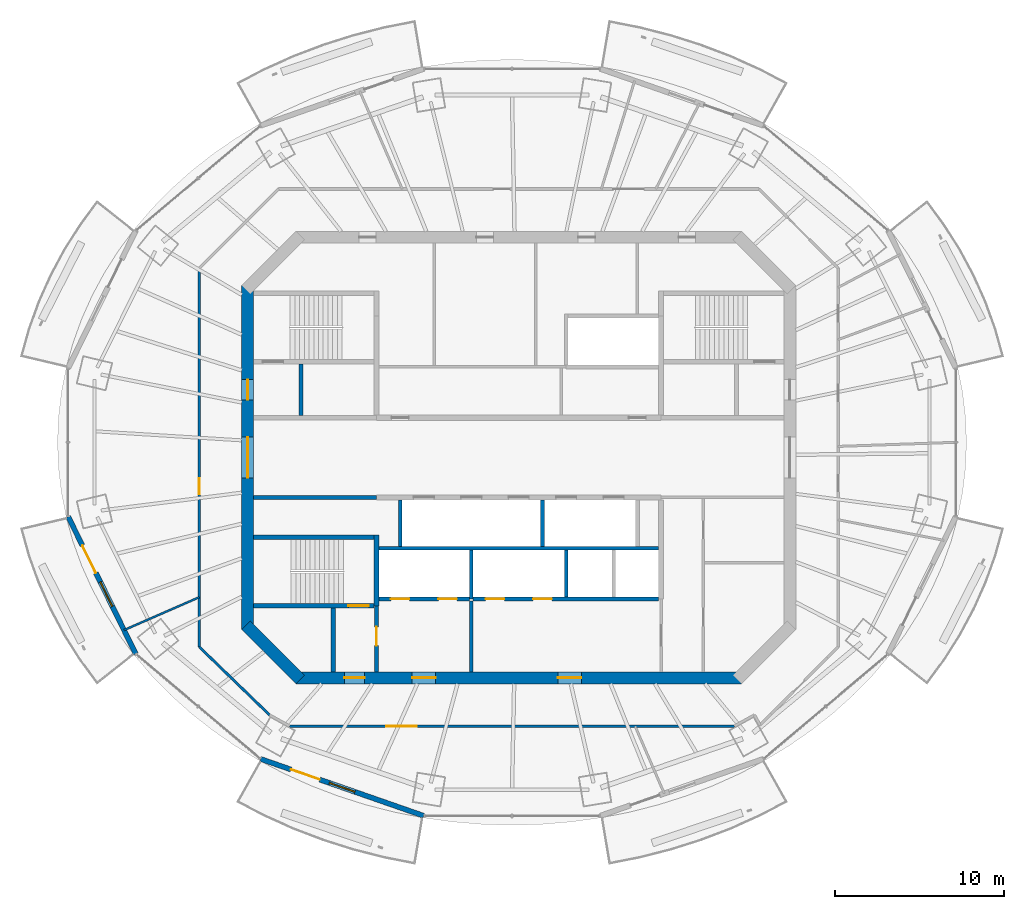
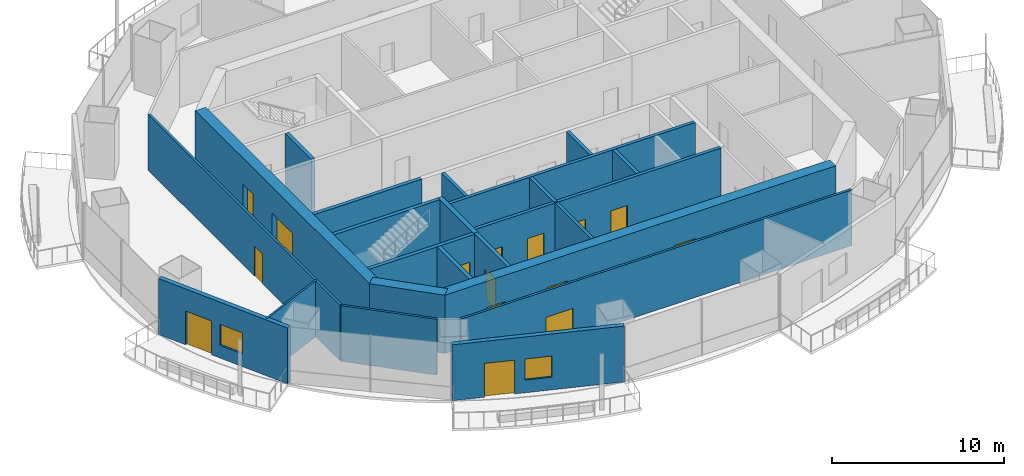
# One storey, part 8 of 16: 24 walls, 15 doors, 2 windows, 17 openings.
"""IFC4 building model written with IfcOpenShell, lengths in metres."""

from ifc_helpers import new_model, si_unit, direction, frame, frame_2d, origin, place, context, subcontext, project, spatial, rectangle, extrude, material, layer, layer_set, type_object, element, fill, save


model = new_model("IFC4")

# Units and contexts
model_context = context("Model", 3, precision=1e-05, world=origin(), true_north=direction((0.0, 1.0)))
body_context = subcontext(model_context, "Body", "Model", "MODEL_VIEW")
ifc_project = project(units=[si_unit("LENGTHUNIT", "METRE"), si_unit("AREAUNIT", "SQUARE_METRE"), si_unit("VOLUMEUNIT", "CUBIC_METRE"), si_unit("PLANEANGLEUNIT", "RADIAN"), si_unit("MASSUNIT", "GRAM", prefix="KILO")], contexts=[model_context])

# Site, building, storey
site_placement = place(None, origin())
site = spatial("IfcSite", under=ifc_project, at=site_placement, CompositionType="ELEMENT")
building_placement = place(site_placement, origin())
building = spatial("IfcBuilding", under=site, at=building_placement, Name="Marenthal Gate Tower", CompositionType="ELEMENT")
storey_placement = place(building_placement, frame((0.0, 0.0, 355.050048828125)))
storey = spatial("IfcBuildingStorey", under=building, at=storey_placement, Name="L80", CompositionType="ELEMENT", Elevation=355.050048828125)

# Wall, openings, doors
ifc_material_1 = material(Name="Concrete 60 MPa", Category="concrete")
ifc_layer_1 = layer(ifc_material_1, 0.699951171875)
ifc_layer_set_1 = layer_set([ifc_layer_1], Name="Core shear wall 700")
wall_type_1 = type_object("IfcWallType", Name="Core shear wall 700", PredefinedType="SHEAR", material=ifc_layer_set_1)
wall_1_placement = place(storey_placement, frame((-16.0, 10.14501953125, -0.179931640625), z_axis=(0.0, 0.0, 1.0), x_axis=(0.0, -1.0, 0.0)))
wall_1 = element("IfcWall", 1, at=wall_1_placement, inside=storey, type_object=wall_type_1, Name="Core wall 06", PredefinedType="SHEAR", context=body_context, shape_type="SweptSolid", body=[
    extrude(rectangle(XDim=20.2900390625, YDim=0.699951171875, at=frame_2d((10.14501953125, 0.0))), origin(), (0.0, 0.0, 1.0), 4.14990234375),
])
opening_1_placement = place(wall_1_placement, frame((8.945068359375, 0.0, 0.179931640625)))
opening_1 = element("IfcOpeningElement", 2, at=opening_1_placement, cuts=wall_1, Name="Opening D003.01", PredefinedType="OPENING", context=body_context, shape_type="SweptSolid", body=[
    extrude(rectangle(XDim=2.39990234375, YDim=2.10009765625, at=frame_2d((1.199951171875, 1.050048828125))), frame((0.0, 0.35986328125, 0.0), z_axis=(0.0, -1.0, 0.0), x_axis=(1.0, 0.0, 0.0)), (0.0, 0.0, 1.0), 0.719970703125),
])
opening_2_placement = place(wall_1_placement, frame((5.544921875, 0.0, 0.179931640625)))
opening_2 = element("IfcOpeningElement", 3, at=opening_2_placement, cuts=wall_1, Name="Opening D001.04", PredefinedType="OPENING", context=body_context, shape_type="SweptSolid", body=[
    extrude(rectangle(XDim=1.199951171875, YDim=2.10009765625, at=frame_2d((0.60009765625, 1.050048828125))), frame((0.0, 0.35986328125, 0.0), z_axis=(0.0, -1.0, 0.0), x_axis=(1.0, 0.0, 0.0)), (0.0, 0.0, 1.0), 0.719970703125),
])
ifc_material_2 = material(Name="Steel fire door", Category="steel")
door_type_1 = type_object("IfcDoorType", Name="Double fire door FD 45 2400 x 2100", OperationType="DOUBLE_DOOR_SINGLE_SWING", PredefinedType="DOOR", material=ifc_material_2)
door_1_placement = place(opening_1_placement, origin())
door_1 = element("IfcDoor", 4, at=door_1_placement, inside=storey, type_object=door_type_1, Name="Door D003.01", OperationType="DOUBLE_DOOR_SINGLE_SWING", OverallHeight=2.10009765625, OverallWidth=2.39990234375, PredefinedType="DOOR", context=body_context, shape_type="SweptSolid", body=[
    extrude(rectangle(XDim=2.39990234375, YDim=2.10009765625, at=frame_2d((1.199951171875, 1.050048828125))), frame((0.0, 0.02490234375, 0.0), z_axis=(0.0, -1.0, 0.0), x_axis=(1.0, 0.0, 0.0)), (0.0, 0.0, 1.0), 0.050048828125),
])
fill(opening_1, door_1)
ifc_material_3 = material(Name="Steel fire door", Category="steel")
door_type_2 = type_object("IfcDoorType", Name="Fire door FD 90 1200 x 2100", OperationType="NOTDEFINED", PredefinedType="DOOR", material=ifc_material_3)
door_2_placement = place(opening_2_placement, origin())
door_2 = element("IfcDoor", 5, at=door_2_placement, inside=storey, type_object=door_type_2, Name="Door D001.04", OperationType="SINGLE_SWING_RIGHT", OverallHeight=2.10009765625, OverallWidth=1.199951171875, PredefinedType="DOOR", context=body_context, shape_type="SweptSolid", body=[
    extrude(rectangle(XDim=1.199951171875, YDim=2.10009765625, at=frame_2d((0.60009765625, 1.050048828125))), frame((0.0, 0.02490234375, 0.0), z_axis=(0.0, -1.0, 0.0), x_axis=(1.0, 0.0, 0.0)), (0.0, 0.0, 1.0), 0.050048828125),
])
fill(opening_2, door_2)

# Wall
wall_2_placement = place(storey_placement, frame((-16.1025390625, -9.8974609375, -0.179931640625), z_axis=(0.0, 0.0, 1.0), x_axis=(0.707106781187, -0.707106781187, 0.0)))
element("IfcWall", 6, at=wall_2_placement, inside=storey, type_object=wall_type_1, Name="Core wall 07", PredefinedType="SHEAR", context=body_context, shape_type="SweptSolid", body=[
    extrude(rectangle(XDim=4.53271484375, YDim=0.699951171875, at=frame_2d((2.266357421875, 0.0))), origin(), (0.0, 0.0, 1.0), 4.14990234375),
])

# Wall, openings, doors
wall_3_placement = place(storey_placement, frame((-13.14501953125, -13.0, -0.179931640625), z_axis=(0.0, 0.0, 1.0), x_axis=(1.0, 0.0, 0.0)))
wall_3 = element("IfcWall", 7, at=wall_3_placement, inside=storey, type_object=wall_type_1, Name="Core wall 08", PredefinedType="SHEAR", context=body_context, shape_type="SweptSolid", body=[
    extrude(rectangle(XDim=26.2900390625, YDim=0.699951171875, at=frame_2d((13.14501953125, 0.0))), origin(), (0.0, 0.0, 1.0), 4.14990234375),
])
opening_3_placement = place(wall_3_placement, frame((2.844970703125, 0.0, 0.179931640625)))
opening_3 = element("IfcOpeningElement", 8, at=opening_3_placement, cuts=wall_3, Name="Opening D001.06", PredefinedType="OPENING", context=body_context, shape_type="SweptSolid", body=[
    extrude(rectangle(XDim=1.199951171875, YDim=2.10009765625, at=frame_2d((0.60009765625, 1.050048828125))), frame((0.0, 0.35986328125, 0.0), z_axis=(0.0, -1.0, 0.0), x_axis=(1.0, 0.0, 0.0)), (0.0, 0.0, 1.0), 0.719970703125),
])
opening_4_placement = place(wall_3_placement, frame((6.844970703125, 0.0, 0.179931640625)))
opening_4 = element("IfcOpeningElement", 9, at=opening_4_placement, cuts=wall_3, Name="Opening D004.01", PredefinedType="OPENING", context=body_context, shape_type="SweptSolid", body=[
    extrude(rectangle(XDim=1.39990234375, YDim=2.10009765625, at=frame_2d((0.699951171875, 1.050048828125))), frame((0.0, 0.35986328125, 0.0), z_axis=(0.0, -1.0, 0.0), x_axis=(1.0, 0.0, 0.0)), (0.0, 0.0, 1.0), 0.719970703125),
])
opening_5_placement = place(wall_3_placement, frame((15.445068359375, 0.0, 0.179931640625)))
opening_5 = element("IfcOpeningElement", 10, at=opening_5_placement, cuts=wall_3, Name="Opening D004.02", PredefinedType="OPENING", context=body_context, shape_type="SweptSolid", body=[
    extrude(rectangle(XDim=1.39990234375, YDim=2.10009765625, at=frame_2d((0.699951171875, 1.050048828125))), frame((0.0, 0.35986328125, 0.0), z_axis=(0.0, -1.0, 0.0), x_axis=(1.0, 0.0, 0.0)), (0.0, 0.0, 1.0), 0.719970703125),
])
ifc_material_4 = material(Name="Steel fire door", Category="steel")
door_type_3 = type_object("IfcDoorType", Name="Fire door FD 45 1400 x 2100", OperationType="NOTDEFINED", PredefinedType="DOOR", material=ifc_material_4)
door_3_placement = place(opening_4_placement, origin())
door_3 = element("IfcDoor", 11, at=door_3_placement, inside=storey, type_object=door_type_3, Name="Door D004.01", OperationType="SINGLE_SWING_RIGHT", OverallHeight=2.10009765625, OverallWidth=1.39990234375, PredefinedType="DOOR", context=body_context, shape_type="SweptSolid", body=[
    extrude(rectangle(XDim=1.39990234375, YDim=2.10009765625, at=frame_2d((0.699951171875, 1.050048828125))), frame((0.0, 0.02490234375, 0.0), z_axis=(0.0, -1.0, 0.0), x_axis=(1.0, 0.0, 0.0)), (0.0, 0.0, 1.0), 0.050048828125),
])
fill(opening_4, door_3)
door_4_placement = place(opening_5_placement, origin())
door_4 = element("IfcDoor", 12, at=door_4_placement, inside=storey, type_object=door_type_3, Name="Door D004.02", OperationType="SINGLE_SWING_RIGHT", OverallHeight=2.10009765625, OverallWidth=1.39990234375, PredefinedType="DOOR", context=body_context, shape_type="SweptSolid", body=[
    extrude(rectangle(XDim=1.39990234375, YDim=2.10009765625, at=frame_2d((0.699951171875, 1.050048828125))), frame((0.0, 0.02490234375, 0.0), z_axis=(0.0, -1.0, 0.0), x_axis=(1.0, 0.0, 0.0)), (0.0, 0.0, 1.0), 0.050048828125),
])
fill(opening_5, door_4)
door_5_placement = place(opening_3_placement, origin())
door_5 = element("IfcDoor", 13, at=door_5_placement, inside=storey, type_object=door_type_2, Name="Door D001.06", OperationType="SINGLE_SWING_RIGHT", OverallHeight=2.10009765625, OverallWidth=1.199951171875, PredefinedType="DOOR", context=body_context, shape_type="SweptSolid", body=[
    extrude(rectangle(XDim=1.199951171875, YDim=2.10009765625, at=frame_2d((0.60009765625, 1.050048828125))), frame((0.0, 0.02490234375, 0.0), z_axis=(0.0, -1.0, 0.0), x_axis=(1.0, 0.0, 0.0)), (0.0, 0.0, 1.0), 0.050048828125),
])
fill(opening_3, door_5)

# Walls
ifc_material_5 = material(Name="Gypsum board on steel studs", Category="steel")
ifc_layer_2 = layer(ifc_material_5, 0.199951171875)
ifc_layer_set_2 = layer_set([ifc_layer_2], Name="Fire lobby wall 200")
wall_type_2 = type_object("IfcWallType", Name="Fire lobby wall 200", PredefinedType="PARTITIONING", material=ifc_layer_set_2)
wall_4_placement = place(storey_placement, frame((-2.800048828125, -12.64990234375, 0.0), z_axis=(0.0, 0.0, 1.0), x_axis=(0.0, 1.0, 0.0)))
element("IfcWall", 14, at=wall_4_placement, inside=storey, type_object=wall_type_2, Name="Fire wall 36", PredefinedType="PARTITIONING", context=body_context, shape_type="SweptSolid", body=[
    extrude(rectangle(XDim=4.18994140625, YDim=0.199951171875, at=frame_2d((2.094970703125, 0.0))), origin(), (0.0, 0.0, 1.0), 3.969970703125),
])
ifc_material_6 = material(Name="Concrete 50 MPa", Category="concrete")
ifc_layer_3 = layer(ifc_material_6, 0.300048828125)
ifc_layer_set_3 = layer_set([ifc_layer_3], Name="Hoistway shear wall 300")
wall_type_3 = type_object("IfcWallType", Name="Hoistway shear wall 300", PredefinedType="SHEAR", material=ifc_layer_set_3)
wall_5_placement = place(storey_placement, frame((-8.39990234375, -8.75, -0.179931640625), z_axis=(0.0, 0.0, 1.0), x_axis=(0.0, 1.0, 0.0)))
element("IfcWall", 15, at=wall_5_placement, inside=storey, type_object=wall_type_3, Name="Hoistway wall 31", PredefinedType="SHEAR", context=body_context, shape_type="SweptSolid", body=[
    extrude(rectangle(XDim=4.175048828125, YDim=0.300048828125, at=frame_2d((2.08740234375, 0.0))), origin(), (0.0, 0.0, 1.0), 4.14990234375),
])

# Wall, openings, doors
ifc_material_7 = material(Name="Concrete 40 MPa", Category="concrete")
ifc_layer_4 = layer(ifc_material_7, 0.219970703125)
ifc_layer_set_4 = layer_set([ifc_layer_4], Name="Hoistway wall 220")
wall_type_4 = type_object("IfcWallType", Name="Hoistway wall 220", PredefinedType="STANDARD", material=ifc_layer_set_4)
wall_6_placement = place(storey_placement, frame((-8.25, -8.35009765625, 0.0), z_axis=(0.0, 0.0, 1.0), x_axis=(1.0, 0.0, 0.0)))
wall_6 = element("IfcWall", 16, at=wall_6_placement, inside=storey, type_object=wall_type_4, Name="Hoistway wall 10", PredefinedType="STANDARD", context=body_context, shape_type="SweptSolid", body=[
    extrude(rectangle(XDim=5.340087890625, YDim=0.219970703125, at=frame_2d((2.669921875, 0.0))), origin(), (0.0, 0.0, 1.0), 3.969970703125),
])
opening_6_placement = place(wall_6_placement, frame((0.699951171875, 0.0, 0.0)))
opening_6 = element("IfcOpeningElement", 17, at=opening_6_placement, cuts=wall_6, Name="Opening LD-LF1", PredefinedType="OPENING", context=body_context, shape_type="SweptSolid", body=[
    extrude(rectangle(XDim=1.10009765625, YDim=2.10009765625, at=frame_2d((0.550048828125, 1.050048828125))), frame((0.0, 0.1201171875, 0.0), z_axis=(0.0, -1.0, 0.0), x_axis=(1.0, 0.0, 0.0)), (0.0, 0.0, 1.0), 0.239990234375),
])
opening_7_placement = place(wall_6_placement, frame((3.5, 0.0, 0.0)))
opening_7 = element("IfcOpeningElement", 18, at=opening_7_placement, cuts=wall_6, Name="Opening LD-LF2", PredefinedType="OPENING", context=body_context, shape_type="SweptSolid", body=[
    extrude(rectangle(XDim=1.10009765625, YDim=2.10009765625, at=frame_2d((0.550048828125, 1.050048828125))), frame((0.0, 0.1201171875, 0.0), z_axis=(0.0, -1.0, 0.0), x_axis=(1.0, 0.0, 0.0)), (0.0, 0.0, 1.0), 0.239990234375),
])
ifc_material_8 = material(Name="Stainless steel sliding door", Category="steel")
door_type_4 = type_object("IfcDoorType", Name="Lift landing door FD 90 1100 x 2100", OperationType="DOUBLE_DOOR_SLIDING", PredefinedType="DOOR", material=ifc_material_8)
door_6_placement = place(opening_6_placement, origin())
door_6 = element("IfcDoor", 19, at=door_6_placement, inside=storey, type_object=door_type_4, Name="Lift landing door LF1", OperationType="DOUBLE_DOOR_SLIDING", OverallHeight=2.10009765625, OverallWidth=1.10009765625, PredefinedType="DOOR", context=body_context, shape_type="SweptSolid", body=[
    extrude(rectangle(XDim=1.10009765625, YDim=2.10009765625, at=frame_2d((0.550048828125, 1.050048828125))), frame((0.0, 0.02490234375, 0.0), z_axis=(0.0, -1.0, 0.0), x_axis=(1.0, 0.0, 0.0)), (0.0, 0.0, 1.0), 0.050048828125),
])
fill(opening_6, door_6)
door_7_placement = place(opening_7_placement, origin())
door_7 = element("IfcDoor", 20, at=door_7_placement, inside=storey, type_object=door_type_4, Name="Lift landing door LF2", OperationType="DOUBLE_DOOR_SLIDING", OverallHeight=2.10009765625, OverallWidth=1.10009765625, PredefinedType="DOOR", context=body_context, shape_type="SweptSolid", body=[
    extrude(rectangle(XDim=1.10009765625, YDim=2.10009765625, at=frame_2d((0.550048828125, 1.050048828125))), frame((0.0, 0.02490234375, 0.0), z_axis=(0.0, -1.0, 0.0), x_axis=(1.0, 0.0, 0.0)), (0.0, 0.0, 1.0), 0.050048828125),
])
fill(opening_7, door_7)

wall_7_placement = place(storey_placement, frame((-2.68994140625, -8.35009765625, 0.0), z_axis=(0.0, 0.0, 1.0), x_axis=(1.0, 0.0, 0.0)))
wall_7 = element("IfcWall", 21, at=wall_7_placement, inside=storey, type_object=wall_type_4, Name="Hoistway wall 11", PredefinedType="STANDARD", context=body_context, shape_type="SweptSolid", body=[
    extrude(rectangle(XDim=10.93994140625, YDim=0.219970703125, at=frame_2d((5.469970703125, 0.0))), origin(), (0.0, 0.0, 1.0), 3.969970703125),
])
opening_8_placement = place(wall_7_placement, frame((0.739990234375, 0.0, 0.0)))
opening_8 = element("IfcOpeningElement", 22, at=opening_8_placement, cuts=wall_7, Name="Opening LD-SV1", PredefinedType="OPENING", context=body_context, shape_type="SweptSolid", body=[
    extrude(rectangle(XDim=1.10009765625, YDim=2.10009765625, at=frame_2d((0.550048828125, 1.050048828125))), frame((0.0, 0.1201171875, 0.0), z_axis=(0.0, -1.0, 0.0), x_axis=(1.0, 0.0, 0.0)), (0.0, 0.0, 1.0), 0.239990234375),
])
opening_9_placement = place(wall_7_placement, frame((3.5400390625, 0.0, 0.0)))
opening_9 = element("IfcOpeningElement", 23, at=opening_9_placement, cuts=wall_7, Name="Opening LD-SV2", PredefinedType="OPENING", context=body_context, shape_type="SweptSolid", body=[
    extrude(rectangle(XDim=1.10009765625, YDim=2.10009765625, at=frame_2d((0.550048828125, 1.050048828125))), frame((0.0, 0.1201171875, 0.0), z_axis=(0.0, -1.0, 0.0), x_axis=(1.0, 0.0, 0.0)), (0.0, 0.0, 1.0), 0.239990234375),
])
door_8_placement = place(opening_8_placement, origin())
door_8 = element("IfcDoor", 24, at=door_8_placement, inside=storey, type_object=door_type_4, Name="Lift landing door SV1", OperationType="DOUBLE_DOOR_SLIDING", OverallHeight=2.10009765625, OverallWidth=1.10009765625, PredefinedType="DOOR", context=body_context, shape_type="SweptSolid", body=[
    extrude(rectangle(XDim=1.10009765625, YDim=2.10009765625, at=frame_2d((0.550048828125, 1.050048828125))), frame((0.0, 0.02490234375, 0.0), z_axis=(0.0, -1.0, 0.0), x_axis=(1.0, 0.0, 0.0)), (0.0, 0.0, 1.0), 0.050048828125),
])
fill(opening_8, door_8)
door_9_placement = place(opening_9_placement, origin())
door_9 = element("IfcDoor", 25, at=door_9_placement, inside=storey, type_object=door_type_4, Name="Lift landing door SV2", OperationType="DOUBLE_DOOR_SLIDING", OverallHeight=2.10009765625, OverallWidth=1.10009765625, PredefinedType="DOOR", context=body_context, shape_type="SweptSolid", body=[
    extrude(rectangle(XDim=1.10009765625, YDim=2.10009765625, at=frame_2d((0.550048828125, 1.050048828125))), frame((0.0, 0.02490234375, 0.0), z_axis=(0.0, -1.0, 0.0), x_axis=(1.0, 0.0, 0.0)), (0.0, 0.0, 1.0), 0.050048828125),
])
fill(opening_9, door_9)

# Walls
wall_8_placement = place(storey_placement, frame((-8.25, -5.35009765625, 0.0), z_axis=(0.0, 0.0, 1.0), x_axis=(1.0, 0.0, 0.0)))
element("IfcWall", 26, at=wall_8_placement, inside=storey, type_object=wall_type_4, Name="Hoistway wall 13", PredefinedType="STANDARD", context=body_context, shape_type="SweptSolid", body=[
    extrude(rectangle(XDim=16.5, YDim=0.219970703125, at=frame_2d((8.25, 0.0))), origin(), (0.0, 0.0, 1.0), 3.969970703125),
])
wall_9_placement = place(storey_placement, frame((-7.0, -5.239990234375, 0.0), z_axis=(0.0, 0.0, 1.0), x_axis=(0.0, 1.0, 0.0)))
element("IfcWall", 27, at=wall_9_placement, inside=storey, type_object=wall_type_4, Name="Hoistway wall 34", PredefinedType="STANDARD", context=body_context, shape_type="SweptSolid", body=[
    extrude(rectangle(XDim=2.739990234375, YDim=0.219970703125, at=frame_2d((1.3701171875, 0.0))), origin(), (0.0, 0.0, 1.0), 3.969970703125),
])
wall_10_placement = place(storey_placement, frame((-2.800048828125, -8.35009765625, 0.0), z_axis=(0.0, 0.0, 1.0), x_axis=(0.0, 1.0, 0.0)))
element("IfcWall", 28, at=wall_10_placement, inside=storey, type_object=wall_type_4, Name="Hoistway wall 37", PredefinedType="STANDARD", context=body_context, shape_type="SweptSolid", body=[
    extrude(rectangle(XDim=2.89013671875, YDim=0.219970703125, at=frame_2d((1.445068359375, 0.0))), origin(), (0.0, 0.0, 1.0), 3.969970703125),
])
wall_11_placement = place(storey_placement, frame((1.39990234375, -5.239990234375, 0.0), z_axis=(0.0, 0.0, 1.0), x_axis=(0.0, 1.0, 0.0)))
element("IfcWall", 29, at=wall_11_placement, inside=storey, type_object=wall_type_4, Name="Hoistway wall 39", PredefinedType="STANDARD", context=body_context, shape_type="SweptSolid", body=[
    extrude(rectangle(XDim=2.739990234375, YDim=0.219970703125, at=frame_2d((1.3701171875, 0.0))), origin(), (0.0, 0.0, 1.0), 3.969970703125),
])
wall_12_placement = place(storey_placement, frame((2.800048828125, -8.239990234375, 0.0), z_axis=(0.0, 0.0, 1.0), x_axis=(0.0, 1.0, 0.0)))
element("IfcWall", 30, at=wall_12_placement, inside=storey, type_object=wall_type_4, Name="Hoistway wall 41", PredefinedType="STANDARD", context=body_context, shape_type="SweptSolid", body=[
    extrude(rectangle(XDim=2.780029296875, YDim=0.219970703125, at=frame_2d((1.39013671875, 0.0))), origin(), (0.0, 0.0, 1.0), 3.969970703125),
])
ifc_material_9 = material(Name="Gypsum board on steel studs", Category="steel")
ifc_layer_5 = layer(ifc_material_9, 0.1201171875)
ifc_layer_set_5 = layer_set([ifc_layer_5], Name="Partition 120")
wall_type_5 = type_object("IfcWallType", Name="Partition 120", PredefinedType="PARTITIONING", material=ifc_layer_set_5)
wall_13_placement = place(storey_placement, frame((-18.85009765625, -8.239013671875, 0.0), z_axis=(0.0, 0.0, 1.0), x_axis=(-0.916287746966, -0.400520617148, 0.0)))
element("IfcWall", 31, at=wall_13_placement, inside=storey, type_object=wall_type_5, Name="Partition wall 53", PredefinedType="PARTITIONING", context=body_context, shape_type="SweptSolid", body=[
    extrude(rectangle(XDim=4.853271484375, YDim=0.1201171875, at=frame_2d((2.4267578125, 0.0))), origin(), (0.0, 0.0, 1.0), 3.969970703125),
])

# Wall, opening, door
ifc_material_10 = material(Name="Gypsum board on steel studs", Category="steel")
ifc_layer_6 = layer(ifc_material_10, 0.14990234375)
ifc_layer_set_6 = layer_set([ifc_layer_6], Name="Partition 150")
wall_type_6 = type_object("IfcWallType", Name="Partition 150", PredefinedType="PARTITIONING", material=ifc_layer_set_6)
wall_14_placement = place(storey_placement, frame((-18.85009765625, -11.180419921875, 0.0), z_axis=(0.0, 0.0, 1.0), x_axis=(0.0, 1.0, 0.0)))
wall_14 = element("IfcWall", 32, at=wall_14_placement, inside=storey, type_object=wall_type_6, Name="Partition wall 52", PredefinedType="PARTITIONING", context=body_context, shape_type="SweptSolid", body=[
    extrude(rectangle(XDim=22.36083984375, YDim=0.14990234375, at=frame_2d((11.180419921875, 0.0))), origin(), (0.0, 0.0, 1.0), 3.969970703125),
])
opening_10_placement = place(wall_14_placement, frame((9.02001953125, 0.0, 0.0)))
opening_10 = element("IfcOpeningElement", 33, at=opening_10_placement, cuts=wall_14, Name="Opening D016.04", PredefinedType="OPENING", context=body_context, shape_type="SweptSolid", body=[
    extrude(rectangle(XDim=0.949951171875, YDim=2.10009765625, at=frame_2d((0.47509765625, 1.050048828125))), frame((0.0, 0.0849609375, 0.0), z_axis=(0.0, -1.0, 0.0), x_axis=(1.0, 0.0, 0.0)), (0.0, 0.0, 1.0), 0.169921875),
])
ifc_material_11 = material(Name="Timber door", Category="wood")
door_type_5 = type_object("IfcDoorType", Name="Door 950 x 2100", OperationType="NOTDEFINED", PredefinedType="DOOR", material=ifc_material_11)
door_10_placement = place(opening_10_placement, frame((0.949951171875, 0.0, 0.0), z_axis=(0.0, 0.0, 1.0), x_axis=(-1.0, 0.0, 0.0)))
door_10 = element("IfcDoor", 34, at=door_10_placement, inside=storey, type_object=door_type_5, Name="Door D016.04", OperationType="SINGLE_SWING_LEFT", OverallHeight=2.10009765625, OverallWidth=0.949951171875, PredefinedType="DOOR", context=body_context, shape_type="SweptSolid", body=[
    extrude(rectangle(XDim=0.949951171875, YDim=2.10009765625, at=frame_2d((0.47509765625, 1.050048828125))), frame((0.0, 0.02490234375, 0.0), z_axis=(0.0, -1.0, 0.0), x_axis=(1.0, 0.0, 0.0)), (0.0, 0.0, 1.0), 0.050048828125),
])
fill(opening_10, door_10)

# Wall
wall_15_placement = place(storey_placement, frame((-14.706787109375, -15.194580078125, 0.0), z_axis=(0.0, 0.0, 1.0), x_axis=(-0.718211802801, 0.695824551391, 0.0)))
element("IfcWall", 35, at=wall_15_placement, inside=storey, type_object=wall_type_6, Name="Partition wall 55", PredefinedType="PARTITIONING", context=body_context, shape_type="SweptSolid", body=[
    extrude(rectangle(XDim=5.76904296875, YDim=0.14990234375, at=frame_2d((2.884521484375, 0.0))), origin(), (0.0, 0.0, 1.0), 3.969970703125),
])

# Wall, opening, door
wall_16_placement = place(storey_placement, frame((12.7275390625, -15.85009765625, 0.0), z_axis=(0.0, 0.0, 1.0), x_axis=(-1.0, 0.0, 0.0)))
wall_16 = element("IfcWall", 36, at=wall_16_placement, inside=storey, type_object=wall_type_6, Name="Partition wall 62", PredefinedType="PARTITIONING", context=body_context, shape_type="SweptSolid", body=[
    extrude(rectangle(XDim=26.255126953125, YDim=0.14990234375, at=frame_2d((13.12744140625, 0.0))), origin(), (0.0, 0.0, 1.0), 3.969970703125),
])
opening_11_placement = place(wall_16_placement, frame((18.741943359375, 0.0, 0.0)))
opening_11 = element("IfcOpeningElement", 37, at=opening_11_placement, cuts=wall_16, Name="Opening D014.03", PredefinedType="OPENING", context=body_context, shape_type="SweptSolid", body=[
    extrude(rectangle(XDim=1.800048828125, YDim=2.10009765625, at=frame_2d((0.89990234375, 1.050048828125))), frame((0.0, 0.0849609375, 0.0), z_axis=(0.0, -1.0, 0.0), x_axis=(1.0, 0.0, 0.0)), (0.0, 0.0, 1.0), 0.169921875),
])
ifc_material_12 = material(Name="Timber door", Category="wood")
door_type_6 = type_object("IfcDoorType", Name="Double door 1800 x 2100", OperationType="DOUBLE_DOOR_SINGLE_SWING", PredefinedType="DOOR", material=ifc_material_12)
door_11_placement = place(opening_11_placement, origin())
door_11 = element("IfcDoor", 38, at=door_11_placement, inside=storey, type_object=door_type_6, Name="Door D014.03", OperationType="DOUBLE_DOOR_SINGLE_SWING", OverallHeight=2.10009765625, OverallWidth=1.800048828125, PredefinedType="DOOR", context=body_context, shape_type="SweptSolid", body=[
    extrude(rectangle(XDim=1.800048828125, YDim=2.10009765625, at=frame_2d((0.89990234375, 1.050048828125))), frame((0.0, 0.02490234375, 0.0), z_axis=(0.0, -1.0, 0.0), x_axis=(1.0, 0.0, 0.0)), (0.0, 0.0, 1.0), 0.050048828125),
])
fill(opening_11, door_11)

# Walls
ifc_material_13 = material(Name="Concrete 40 MPa", Category="concrete")
ifc_layer_7 = layer(ifc_material_13, 0.25)
ifc_layer_set_7 = layer_set([ifc_layer_7], Name="Stair enclosure wall 250")
wall_type_7 = type_object("IfcWallType", Name="Stair enclosure wall 250", PredefinedType="STANDARD", material=ifc_layer_set_7)
wall_17_placement = place(storey_placement, frame((-15.64990234375, -2.35009765625, 0.0), z_axis=(0.0, 0.0, 1.0), x_axis=(1.0, 0.0, 0.0)))
element("IfcWall", 39, at=wall_17_placement, inside=storey, type_object=wall_type_7, Name="Stair wall 15", PredefinedType="STANDARD", context=body_context, shape_type="SweptSolid", body=[
    extrude(rectangle(XDim=7.25, YDim=0.25, at=frame_2d((3.625, 0.0))), origin(), (0.0, 0.0, 1.0), 3.969970703125),
])
wall_18_placement = place(storey_placement, frame((-12.85009765625, 2.47509765625, 0.0), z_axis=(0.0, 0.0, 1.0), x_axis=(0.0, 1.0, 0.0)))
element("IfcWall", 40, at=wall_18_placement, inside=storey, type_object=wall_type_7, Name="Stair wall 28", PredefinedType="STANDARD", context=body_context, shape_type="SweptSolid", body=[
    extrude(rectangle(XDim=3.0498046875, YDim=0.25, at=frame_2d((1.52490234375, 0.0))), origin(), (0.0, 0.0, 1.0), 3.969970703125),
])
wall_19_placement = place(storey_placement, frame((-10.949951171875, -12.64990234375, 0.0), z_axis=(0.0, 0.0, 1.0), x_axis=(0.0, 1.0, 0.0)))
element("IfcWall", 41, at=wall_19_placement, inside=storey, type_object=wall_type_7, Name="Stair wall 29", PredefinedType="STANDARD", context=body_context, shape_type="SweptSolid", body=[
    extrude(rectangle(XDim=3.77490234375, YDim=0.25, at=frame_2d((1.887451171875, 0.0))), origin(), (0.0, 0.0, 1.0), 3.969970703125),
])

# Wall, opening, door
wall_20_placement = place(storey_placement, frame((-8.39990234375, -12.64990234375, 0.0), z_axis=(0.0, 0.0, 1.0), x_axis=(0.0, 1.0, 0.0)))
wall_20 = element("IfcWall", 42, at=wall_20_placement, inside=storey, type_object=wall_type_7, Name="Stair wall 30", PredefinedType="STANDARD", context=body_context, shape_type="SweptSolid", body=[
    extrude(rectangle(XDim=3.89990234375, YDim=0.25, at=frame_2d((1.949951171875, 0.0))), origin(), (0.0, 0.0, 1.0), 3.969970703125),
])
opening_12_placement = place(wall_20_placement, frame((1.550048828125, 0.0, 0.0)))
opening_12 = element("IfcOpeningElement", 43, at=opening_12_placement, cuts=wall_20, Name="Opening D002.01", PredefinedType="OPENING", context=body_context, shape_type="SweptSolid", body=[
    extrude(rectangle(XDim=1.10009765625, YDim=2.10009765625, at=frame_2d((0.550048828125, 1.050048828125))), frame((0.0, 0.135009765625, 0.0), z_axis=(0.0, -1.0, 0.0), x_axis=(1.0, 0.0, 0.0)), (0.0, 0.0, 1.0), 0.27001953125),
])
ifc_material_14 = material(Name="Steel fire door", Category="steel")
door_type_7 = type_object("IfcDoorType", Name="Fire door FD 90 1100 x 2100", OperationType="NOTDEFINED", PredefinedType="DOOR", material=ifc_material_14)
door_12_placement = place(opening_12_placement, origin())
door_12 = element("IfcDoor", 44, at=door_12_placement, inside=storey, type_object=door_type_7, Name="Door D002.01", OperationType="SINGLE_SWING_RIGHT", OverallHeight=2.10009765625, OverallWidth=1.10009765625, PredefinedType="DOOR", context=body_context, shape_type="SweptSolid", body=[
    extrude(rectangle(XDim=1.10009765625, YDim=2.10009765625, at=frame_2d((0.550048828125, 1.050048828125))), frame((0.0, 0.02490234375, 0.0), z_axis=(0.0, -1.0, 0.0), x_axis=(1.0, 0.0, 0.0)), (0.0, 0.0, 1.0), 0.050048828125),
])
fill(opening_12, door_12)

ifc_material_15 = material(Name="Concrete 50 MPa", Category="concrete")
ifc_layer_8 = layer(ifc_material_15, 0.25)
ifc_layer_set_8 = layer_set([ifc_layer_8], Name="Stair shear wall 250")
wall_type_8 = type_object("IfcWallType", Name="Stair shear wall 250", PredefinedType="SHEAR", material=ifc_layer_set_8)
wall_21_placement = place(storey_placement, frame((-15.64990234375, -8.75, -0.179931640625), z_axis=(0.0, 0.0, 1.0), x_axis=(1.0, 0.0, 0.0)))
wall_21 = element("IfcWall", 45, at=wall_21_placement, inside=storey, type_object=wall_type_8, Name="Stair wall 09", PredefinedType="SHEAR", context=body_context, shape_type="SweptSolid", body=[
    extrude(rectangle(XDim=7.099853515625, YDim=0.25, at=frame_2d((3.5498046875, 0.0))), origin(), (0.0, 0.0, 1.0), 4.14990234375),
])
opening_13_placement = place(wall_21_placement, frame((5.60009765625, 0.0, 0.179931640625)))
opening_13 = element("IfcOpeningElement", 46, at=opening_13_placement, cuts=wall_21, Name="Opening D001.03", PredefinedType="OPENING", context=body_context, shape_type="SweptSolid", body=[
    extrude(rectangle(XDim=1.199951171875, YDim=2.10009765625, at=frame_2d((0.60009765625, 1.050048828125))), frame((0.0, 0.135009765625, 0.0), z_axis=(0.0, -1.0, 0.0), x_axis=(1.0, 0.0, 0.0)), (0.0, 0.0, 1.0), 0.27001953125),
])
door_13_placement = place(opening_13_placement, origin())
door_13 = element("IfcDoor", 47, at=door_13_placement, inside=storey, type_object=door_type_2, Name="Door D001.03", OperationType="SINGLE_SWING_RIGHT", OverallHeight=2.10009765625, OverallWidth=1.199951171875, PredefinedType="DOOR", context=body_context, shape_type="SweptSolid", body=[
    extrude(rectangle(XDim=1.199951171875, YDim=2.10009765625, at=frame_2d((0.60009765625, 1.050048828125))), frame((0.0, 0.02490234375, 0.0), z_axis=(0.0, -1.0, 0.0), x_axis=(1.0, 0.0, 0.0)), (0.0, 0.0, 1.0), 0.050048828125),
])
fill(opening_13, door_13)

# Wall
wall_22_placement = place(storey_placement, frame((-15.64990234375, -4.699951171875, -0.179931640625), z_axis=(0.0, 0.0, 1.0), x_axis=(1.0, 0.0, 0.0)))
element("IfcWall", 48, at=wall_22_placement, inside=storey, type_object=wall_type_8, Name="Stair wall 14", PredefinedType="SHEAR", context=body_context, shape_type="SweptSolid", body=[
    extrude(rectangle(XDim=7.099853515625, YDim=0.25, at=frame_2d((3.5498046875, 0.0))), origin(), (0.0, 0.0, 1.0), 4.14990234375),
])

# Wall, openings, door, window
ifc_material_16 = material(Name="Terracotta cladding on insulated concrete-block backing", Category="masonry")
ifc_layer_9 = layer(ifc_material_16, 0.300048828125)
ifc_layer_set_9 = layer_set([ifc_layer_9], Name="Terracotta facade wall 300")
wall_type_9 = type_object("IfcWallType", Name="Terracotta facade wall 300", PredefinedType="SOLIDWALL", material=ifc_layer_set_9)
wall_23_placement = place(storey_placement, frame((-26.59375, -3.48486328125, 0.0), z_axis=(0.0, 0.0, 1.0), x_axis=(0.441581239579, -0.897221270842, 0.0)))
wall_23 = element("IfcWall", 49, at=wall_23_placement, inside=storey, type_object=wall_type_9, Name="Terracotta facade wall L80 bay 9", PredefinedType="SOLIDWALL", context=body_context, shape_type="SweptSolid", body=[
    extrude(rectangle(XDim=9.0302734375, YDim=0.300048828125, at=frame_2d((4.51513671875, 0.0))), origin(), (0.0, 0.0, 1.0), 3.969970703125),
])
opening_14_placement = place(wall_23_placement, frame((1.89990234375, 0.0, 0.0)))
opening_14 = element("IfcOpeningElement", 50, at=opening_14_placement, cuts=wall_23, Name="Opening BD-L80-09", PredefinedType="OPENING", context=body_context, shape_type="SweptSolid", body=[
    extrude(rectangle(XDim=1.800048828125, YDim=2.39990234375, at=frame_2d((0.89990234375, 1.199951171875))), frame((0.0, 0.16015625, 0.0), z_axis=(0.0, -1.0, 0.0), x_axis=(1.0, 0.0, 0.0)), (0.0, 0.0, 1.0), 0.320068359375),
])
opening_15_placement = place(wall_23_placement, frame((4.300048828125, 0.0, 0.89990234375)))
opening_15 = element("IfcOpeningElement", 51, at=opening_15_placement, cuts=wall_23, Name="Opening WN3-L80-09", PredefinedType="OPENING", context=body_context, shape_type="SweptSolid", body=[
    extrude(rectangle(XDim=1.60009765625, YDim=1.5, at=frame_2d((0.800048828125, 0.75))), frame((0.0, 0.16015625, 0.0), z_axis=(0.0, -1.0, 0.0), x_axis=(1.0, 0.0, 0.0)), (0.0, 0.0, 1.0), 0.320068359375),
])
ifc_material_17 = material(Name="Aluminium and glass", Category="aluminium")
door_type_8 = type_object("IfcDoorType", Name="Balcony door 1800x2400", OperationType="DOUBLE_DOOR_SINGLE_SWING", PredefinedType="DOOR", material=ifc_material_17)
door_14_placement = place(opening_14_placement, origin())
door_14 = element("IfcDoor", 52, at=door_14_placement, inside=storey, type_object=door_type_8, Name="Balcony door L80 bay 9", OperationType="SINGLE_SWING_LEFT", OverallHeight=2.39990234375, OverallWidth=1.800048828125, PredefinedType="DOOR", context=body_context, shape_type="SweptSolid", body=[
    extrude(rectangle(XDim=1.800048828125, YDim=2.39990234375, at=frame_2d((0.89990234375, 1.199951171875))), frame((0.0, 0.02490234375, 0.0), z_axis=(0.0, -1.0, 0.0), x_axis=(1.0, 0.0, 0.0)), (0.0, 0.0, 1.0), 0.050048828125),
])
fill(opening_14, door_14)
ifc_material_18 = material(Name="Aluminium and glass", Category="aluminium")
window_type = type_object("IfcWindowType", Name="Window 1600x1500", PartitioningType="DOUBLE_PANEL_VERTICAL", PredefinedType="WINDOW", material=ifc_material_18)
window_1_placement = place(opening_15_placement, origin())
window_1 = element("IfcWindow", 53, at=window_1_placement, inside=storey, type_object=window_type, Name="Window L80 bay 9", OverallHeight=1.5, OverallWidth=1.60009765625, PartitioningType="SINGLE_PANEL", PredefinedType="WINDOW", context=body_context, shape_type="SweptSolid", body=[
    extrude(rectangle(XDim=1.60009765625, YDim=1.5, at=frame_2d((0.800048828125, 0.75))), frame((0.0, 0.030029296875, 0.0), z_axis=(0.0, -1.0, 0.0), x_axis=(1.0, 0.0, 0.0)), (0.0, 0.0, 1.0), 0.06005859375),
])
fill(opening_15, window_1)

wall_24_placement = place(storey_placement, frame((-15.237548828125, -17.7880859375, 0.0), z_axis=(0.0, 0.0, 1.0), x_axis=(0.944272378507, -0.329165118428, 0.0)))
wall_24 = element("IfcWall", 54, at=wall_24_placement, inside=storey, type_object=wall_type_9, Name="Terracotta facade wall L80 bay 11", PredefinedType="SOLIDWALL", context=body_context, shape_type="SweptSolid", body=[
    extrude(rectangle(XDim=10.1953125, YDim=0.300048828125, at=frame_2d((5.09765625, 0.0))), origin(), (0.0, 0.0, 1.0), 3.969970703125),
])
opening_16_placement = place(wall_24_placement, frame((1.89990234375, 0.0, 0.0)))
opening_16 = element("IfcOpeningElement", 55, at=opening_16_placement, cuts=wall_24, Name="Opening BD-L80-11", PredefinedType="OPENING", context=body_context, shape_type="SweptSolid", body=[
    extrude(rectangle(XDim=1.800048828125, YDim=2.39990234375, at=frame_2d((0.89990234375, 1.199951171875))), frame((0.0, 0.16015625, 0.0), z_axis=(0.0, -1.0, 0.0), x_axis=(1.0, 0.0, 0.0)), (0.0, 0.0, 1.0), 0.320068359375),
])
opening_17_placement = place(wall_24_placement, frame((4.300048828125, 0.0, 0.89990234375)))
opening_17 = element("IfcOpeningElement", 56, at=opening_17_placement, cuts=wall_24, Name="Opening WN3-L80-11", PredefinedType="OPENING", context=body_context, shape_type="SweptSolid", body=[
    extrude(rectangle(XDim=1.60009765625, YDim=1.5, at=frame_2d((0.800048828125, 0.75))), frame((0.0, 0.16015625, 0.0), z_axis=(0.0, -1.0, 0.0), x_axis=(1.0, 0.0, 0.0)), (0.0, 0.0, 1.0), 0.320068359375),
])
door_15_placement = place(opening_16_placement, origin())
door_15 = element("IfcDoor", 57, at=door_15_placement, inside=storey, type_object=door_type_8, Name="Balcony door L80 bay 11", OperationType="SINGLE_SWING_LEFT", OverallHeight=2.39990234375, OverallWidth=1.800048828125, PredefinedType="DOOR", context=body_context, shape_type="SweptSolid", body=[
    extrude(rectangle(XDim=1.800048828125, YDim=2.39990234375, at=frame_2d((0.89990234375, 1.199951171875))), frame((0.0, 0.02490234375, 0.0), z_axis=(0.0, -1.0, 0.0), x_axis=(1.0, 0.0, 0.0)), (0.0, 0.0, 1.0), 0.050048828125),
])
fill(opening_16, door_15)
window_2_placement = place(opening_17_placement, origin())
window_2 = element("IfcWindow", 58, at=window_2_placement, inside=storey, type_object=window_type, Name="Window L80 bay 11", OverallHeight=1.5, OverallWidth=1.60009765625, PartitioningType="SINGLE_PANEL", PredefinedType="WINDOW", context=body_context, shape_type="SweptSolid", body=[
    extrude(rectangle(XDim=1.60009765625, YDim=1.5, at=frame_2d((0.800048828125, 0.75))), frame((0.0, 0.030029296875, 0.0), z_axis=(0.0, -1.0, 0.0), x_axis=(1.0, 0.0, 0.0)), (0.0, 0.0, 1.0), 0.06005859375),
])
fill(opening_17, window_2)

save(model, "model.ifc")
